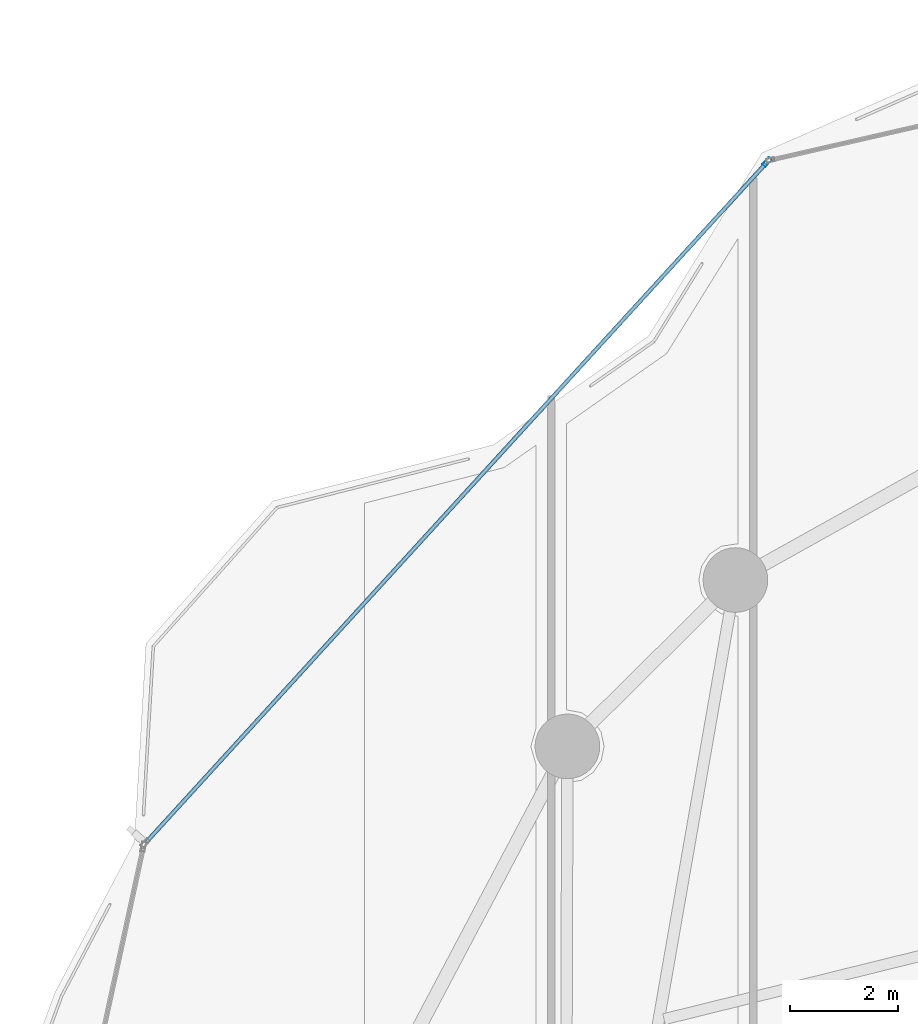
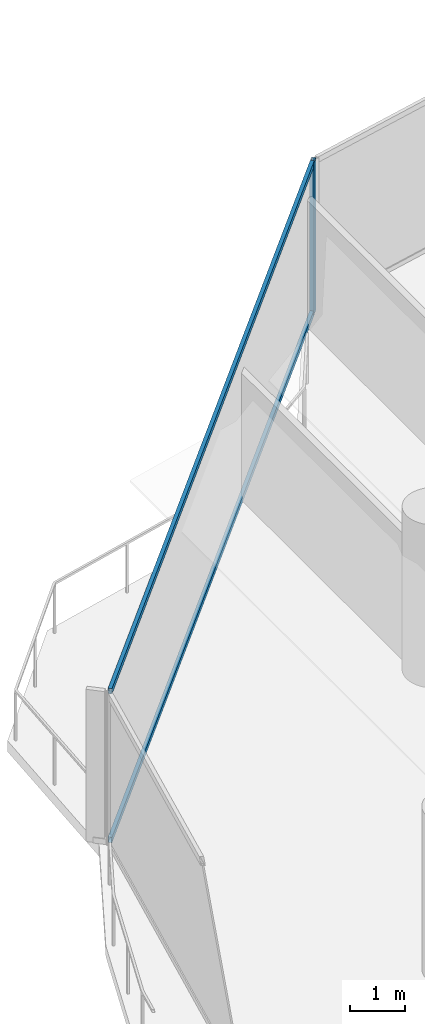
# One storey, part 18 of 34: 3 members, 1 element without a shape of its own.
"""IFC4 building model written with IfcOpenShell, lengths in metres."""

from ifc_helpers import new_model, si_unit, direction, frame, origin, origin_2d, place, context, subcontext, project, spatial, hollow_rectangle, extrude, material, layer, layer_set, material_profile, profile_set, type_object, element, aggregate, save


model = new_model("IFC4")

# Units and contexts
model_context = context("Model", 3, precision=1e-05, world=origin(), true_north=direction((0.0, 1.0)))
body_context = subcontext(model_context, "Body", "Model", "MODEL_VIEW")
ifc_project = project(units=[si_unit("LENGTHUNIT", "METRE"), si_unit("AREAUNIT", "SQUARE_METRE"), si_unit("VOLUMEUNIT", "CUBIC_METRE"), si_unit("PLANEANGLEUNIT", "RADIAN"), si_unit("MASSUNIT", "GRAM", prefix="KILO")], contexts=[model_context])

# Site, building, storey
site_placement = place(None, origin())
site = spatial("IfcSite", under=ifc_project, at=site_placement, CompositionType="ELEMENT")
building_placement = place(site_placement, origin())
building = spatial("IfcBuilding", under=site, at=building_placement, Name="Kazevale Care Tower and Concert Hall", CompositionType="ELEMENT")
storey_placement = place(building_placement, frame((0.0, 0.0, 167.39990234375)))
storey = spatial("IfcBuildingStorey", under=building, at=storey_placement, Name="L44", CompositionType="ELEMENT", Elevation=167.39990234375)

# Curtain wall, members
ifc_material_1 = material(Name="Aluminium 6063-T6 and Low-E Glass", Category="aluminium")
ifc_layer = layer(ifc_material_1, 0.179931640625)
ifc_layer_set = layer_set([ifc_layer], Name="Aluminium 6063-T6 and Low-E Glass")
curtain_wall_type = type_object("IfcCurtainWallType", Name="Convex Checkerboard Finned Curtain Wall CW-2", PredefinedType="NOTDEFINED", material=ifc_layer_set)
curtain_wall_placement = place(storey_placement, origin())
curtain_wall = element("IfcCurtainWall", 1, at=curtain_wall_placement, inside=storey, type_object=curtain_wall_type, Name="cw:L44:f14", PredefinedType="NOTDEFINED")
ifc_material_2 = material(Name="Aluminium 6063-T6", Category="aluminium")
ifc_material_profile_1 = material_profile(ifc_material_2, hollow_rectangle(XDim=0.080078125, YDim=0.179931640625, WallThickness=0.0048828125, at=origin_2d()), Name="ALU80x180x5")
ifc_profile_set_1 = profile_set([ifc_material_profile_1], Name="Aluminium 6063-T6")
member_type_1 = type_object("IfcMemberType", Name="CW-2 Mullion ALU80x180x5", PredefinedType="MULLION", material=ifc_profile_set_1)
member_1_placement = place(storey_placement, frame((25.757080078125, 62.340576171875, 0.0), z_axis=(0.0, 0.0, 1.0), x_axis=(-0.738491785899, 0.674262472751, 0.0)))
member_1 = element("IfcMember", 2, at=member_1_placement, type_object=member_type_1, Name="CW-2 mullion 2", PredefinedType="MULLION", context=body_context, shape_type="SweptSolid", body=[
    extrude(hollow_rectangle(XDim=0.080078125, YDim=0.179931640625, WallThickness=0.0048828125, at=origin_2d()), origin(), (0.0, 0.0, 1.0), 3.360107421875),
])
ifc_material_profile_2 = material_profile(ifc_material_2, hollow_rectangle(XDim=0.074951171875, YDim=0.1201171875, WallThickness=0.00390625, at=origin_2d()), Name="ALU75x120x4")
ifc_profile_set_2 = profile_set([ifc_material_profile_2], Name="Aluminium 6063-T6")
member_type_2 = type_object("IfcMemberType", Name="CW-2 Transom ALU75x120x4", PredefinedType="USERDEFINED", material=ifc_profile_set_2)
member_2_placement = place(storey_placement, frame((14.238037109375, 49.72412109375, 0.03759765625), z_axis=(0.674254759105, 0.738498828587, 0.0), x_axis=(-0.738498828587, 0.674254759105, 0.0)))
member_2 = element("IfcMember", 3, at=member_2_placement, type_object=member_type_2, Name="CW-2 transom 1.1", ObjectType="TRANSOM", PredefinedType="USERDEFINED", context=body_context, shape_type="SweptSolid", body=[
    extrude(hollow_rectangle(XDim=0.074951171875, YDim=0.1201171875, WallThickness=0.00390625, at=origin_2d()), origin(), (0.0, 0.0, 1.0), 17.0439453125),
])
member_3_placement = place(storey_placement, frame((14.238037109375, 49.72412109375, 3.322509765625), z_axis=(0.674254759105, 0.738498828587, 0.0), x_axis=(-0.738498828587, 0.674254759105, 0.0)))
member_3 = element("IfcMember", 4, at=member_3_placement, type_object=member_type_2, Name="CW-2 transom 1.2", ObjectType="TRANSOM", PredefinedType="USERDEFINED", context=body_context, shape_type="SweptSolid", body=[
    extrude(hollow_rectangle(XDim=0.074951171875, YDim=0.1201171875, WallThickness=0.00390625, at=origin_2d()), origin(), (0.0, 0.0, 1.0), 17.0439453125),
])
aggregate(curtain_wall, [member_1, member_2, member_3])

save(model, "model.ifc")
